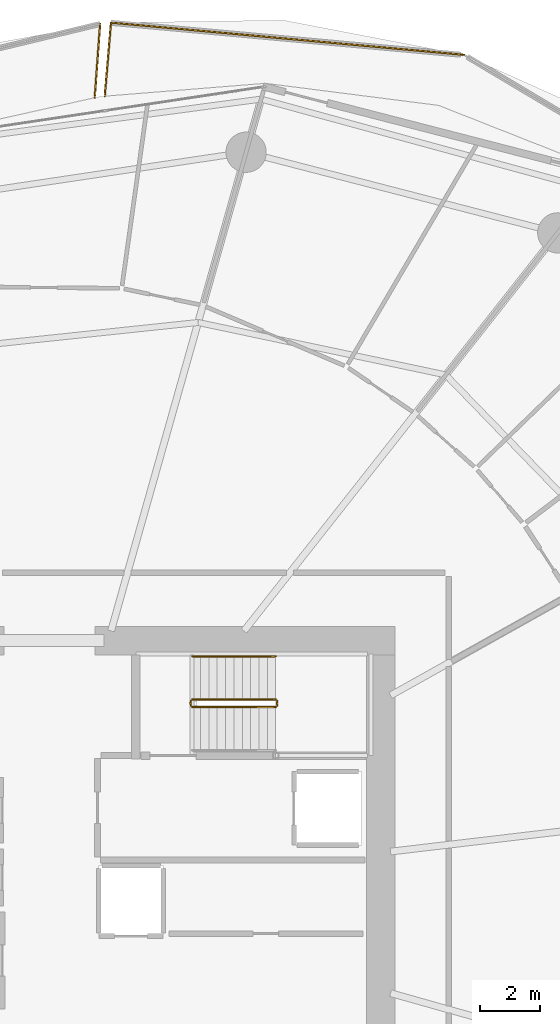
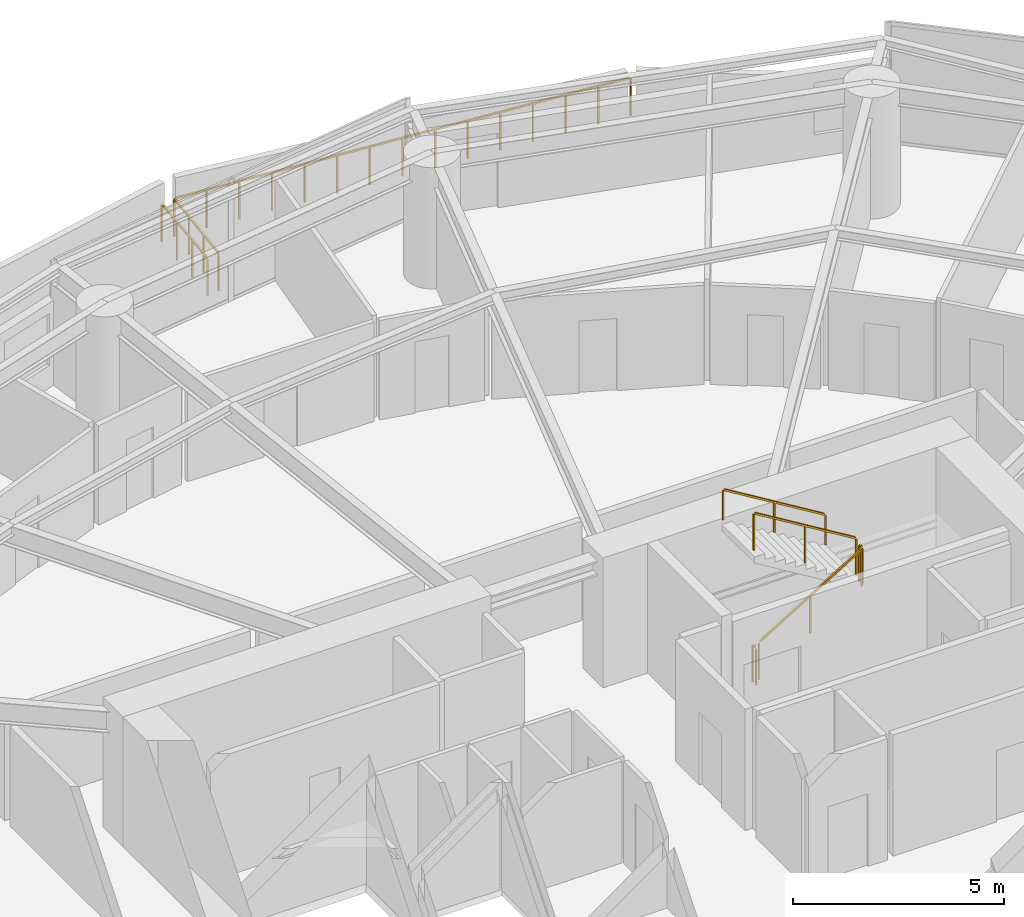
# One storey, part 30 of 31: 8 railings.
"""IFC4 building model written with IfcOpenShell, lengths in metres."""

from ifc_helpers import new_model, si_unit, direction, frame, origin, origin_2d, place, context, subcontext, project, spatial, rectangle, extrude, material, type_object, element, save


model = new_model("IFC4")

# Units and contexts
model_context = context("Model", 3, precision=1e-05, world=origin(), true_north=direction((0.0, 1.0)))
body_context = subcontext(model_context, "Body", "Model", "MODEL_VIEW")
ifc_project = project(units=[si_unit("LENGTHUNIT", "METRE"), si_unit("AREAUNIT", "SQUARE_METRE"), si_unit("VOLUMEUNIT", "CUBIC_METRE"), si_unit("PLANEANGLEUNIT", "RADIAN"), si_unit("MASSUNIT", "GRAM", prefix="KILO")], contexts=[model_context])

# Site, building, storey
site_placement = place(None, origin())
site = spatial("IfcSite", under=ifc_project, at=site_placement, CompositionType="ELEMENT")
building_placement = place(site_placement, origin())
building = spatial("IfcBuilding", under=site, at=building_placement, Name="Kazma Halo Residences", CompositionType="ELEMENT")
storey_placement = place(building_placement, frame((0.0, 0.0, 30.14990234375)))
storey = spatial("IfcBuildingStorey", under=building, at=storey_placement, Name="L06", CompositionType="ELEMENT", Elevation=30.14990234375)

# Railings
ifc_material_1 = material(Name="Aluminium AW-6063 T6 Brushed Cap Rail", Category="aluminium")
railing_type_1 = type_object("IfcRailingType", Name="RLG-BAL-CAP-1120", PredefinedType="BALUSTRADE", material=ifc_material_1)
railing_1_placement = place(storey_placement, frame((62.323974609375, 70.1123046875, 0.0)))
element("IfcRailing", 1, at=railing_1_placement, inside=storey, type_object=railing_type_1, Name="L06 NE wave balcony guard 3", PredefinedType="BALUSTRADE", context=body_context, shape_type="SweptSolid", body=[
    extrude(rectangle(XDim=0.050048828125, YDim=0.050048828125, at=origin_2d()), frame((-0.04248046875, 0.00390625, 1.09521484375), z_axis=(-0.995869790697, 0.09079295114, 0.0), x_axis=(-0.09079295114, -0.995869790697, 0.0)), (0.0, 0.0, 1.0), 11.81103515625),
    extrude(rectangle(XDim=0.0400390625, YDim=0.0400390625, at=origin_2d()), origin(), (0.0, 0.0, 1.0), 1.05810546875),
    extrude(rectangle(XDim=0.0400390625, YDim=0.0400390625, at=origin_2d()), frame((-0.84619140625, 0.0771484375, 0.0)), (0.0, 0.0, 1.0), 1.05810546875),
    extrude(rectangle(XDim=0.0400390625, YDim=0.0400390625, at=origin_2d()), frame((-1.6923828125, 0.154296875, 0.0)), (0.0, 0.0, 1.0), 1.05810546875),
    extrude(rectangle(XDim=0.0400390625, YDim=0.0400390625, at=origin_2d()), frame((-2.53857421875, 0.2314453125, 0.0)), (0.0, 0.0, 1.0), 1.05810546875),
    extrude(rectangle(XDim=0.0400390625, YDim=0.0400390625, at=origin_2d()), frame((-3.384765625, 0.30859375, 0.0)), (0.0, 0.0, 1.0), 1.05810546875),
    extrude(rectangle(XDim=0.0400390625, YDim=0.0400390625, at=origin_2d()), frame((-4.23095703125, 0.3857421875, 0.0)), (0.0, 0.0, 1.0), 1.05810546875),
    extrude(rectangle(XDim=0.0400390625, YDim=0.0400390625, at=origin_2d()), frame((-5.0771484375, 0.462890625, 0.0)), (0.0, 0.0, 1.0), 1.05810546875),
    extrude(rectangle(XDim=0.0400390625, YDim=0.0400390625, at=origin_2d()), frame((-5.92333984375, 0.5400390625, 0.0)), (0.0, 0.0, 1.0), 1.05810546875),
    extrude(rectangle(XDim=0.0400390625, YDim=0.0400390625, at=origin_2d()), frame((-6.769775390625, 0.6171875, 0.0)), (0.0, 0.0, 1.0), 1.05810546875),
    extrude(rectangle(XDim=0.0400390625, YDim=0.0400390625, at=origin_2d()), frame((-7.615966796875, 0.6943359375, 0.0)), (0.0, 0.0, 1.0), 1.05810546875),
    extrude(rectangle(XDim=0.0400390625, YDim=0.0400390625, at=origin_2d()), frame((-8.462158203125, 0.771484375, 0.0)), (0.0, 0.0, 1.0), 1.05810546875),
    extrude(rectangle(XDim=0.0400390625, YDim=0.0400390625, at=origin_2d()), frame((-9.308349609375, 0.8486328125, 0.0)), (0.0, 0.0, 1.0), 1.05810546875),
    extrude(rectangle(XDim=0.0400390625, YDim=0.0400390625, at=origin_2d()), frame((-10.154541015625, 0.92578125, 0.0)), (0.0, 0.0, 1.0), 1.05810546875),
    extrude(rectangle(XDim=0.0400390625, YDim=0.0400390625, at=origin_2d()), frame((-11.000732421875, 1.0029296875, 0.0)), (0.0, 0.0, 1.0), 1.05810546875),
    extrude(rectangle(XDim=0.0400390625, YDim=0.0400390625, at=origin_2d()), frame((-11.846923828125, 1.080078125, 0.0)), (0.0, 0.0, 1.0), 1.05810546875),
])
railing_2_placement = place(storey_placement, frame((50.47705078125, 71.1923828125, 0.0)))
element("IfcRailing", 2, at=railing_2_placement, inside=storey, type_object=railing_type_1, Name="L06 NE wave balcony guard 4", PredefinedType="BALUSTRADE", context=body_context, shape_type="SweptSolid", body=[
    extrude(rectangle(XDim=0.050048828125, YDim=0.050048828125, at=origin_2d()), frame((-0.003662109375, -0.04248046875, 1.09521484375), z_axis=(-0.084557777597, -0.996418577832, 0.0), x_axis=(0.996418577832, -0.084557777597, 0.0)), (0.0, 0.0, 1.0), 2.386474609375),
    extrude(rectangle(XDim=0.0400390625, YDim=0.0400390625, at=origin_2d()), origin(), (0.0, 0.0, 1.0), 1.05810546875),
    extrude(rectangle(XDim=0.0400390625, YDim=0.0400390625, at=origin_2d()), frame((-0.069580078125, -0.82080078125, 0.0)), (0.0, 0.0, 1.0), 1.05810546875),
    extrude(rectangle(XDim=0.0400390625, YDim=0.0400390625, at=origin_2d()), frame((-0.139404296875, -1.641845703125, 0.0)), (0.0, 0.0, 1.0), 1.05810546875),
    extrude(rectangle(XDim=0.0400390625, YDim=0.0400390625, at=origin_2d()), frame((-0.208984375, -2.462646484375, 0.0)), (0.0, 0.0, 1.0), 1.05810546875),
])
railing_3_placement = place(storey_placement, frame((49.935791015625, 68.679931640625, 0.0)))
element("IfcRailing", 3, at=railing_3_placement, inside=storey, type_object=railing_type_1, Name="L06 NNW wave balcony guard 1", PredefinedType="BALUSTRADE", context=body_context, shape_type="SweptSolid", body=[
    extrude(rectangle(XDim=0.050048828125, YDim=0.050048828125, at=origin_2d()), frame((0.003173828125, 0.04248046875, 1.09521484375), z_axis=(0.072359420263, 0.997378621337, 0.0), x_axis=(-0.997378621337, 0.072359420263, 0.0)), (0.0, 0.0, 1.0), 2.394775390625),
    extrude(rectangle(XDim=0.0400390625, YDim=0.0400390625, at=origin_2d()), origin(), (0.0, 0.0, 1.0), 1.05810546875),
    extrude(rectangle(XDim=0.0400390625, YDim=0.0400390625, at=origin_2d()), frame((0.059814453125, 0.824462890625, 0.0)), (0.0, 0.0, 1.0), 1.05810546875),
    extrude(rectangle(XDim=0.0400390625, YDim=0.0400390625, at=origin_2d()), frame((0.11962890625, 1.64892578125, 0.0)), (0.0, 0.0, 1.0), 1.05810546875),
    extrude(rectangle(XDim=0.0400390625, YDim=0.0400390625, at=origin_2d()), frame((0.179443359375, 2.473388671875, 0.0)), (0.0, 0.0, 1.0), 1.05810546875),
])
ifc_material_2 = material(Name="Painted Steel S355", Category="steel")
railing_type_2 = type_object("IfcRailingType", Name="RLG-STAIR-GRD-1100", PredefinedType="GUARDRAIL", material=ifc_material_2)
railing_4_placement = place(storey_placement, frame((53.199951171875, 48.25, 0.170654296875)))
element("IfcRailing", 4, at=railing_4_placement, inside=storey, type_object=railing_type_2, Name="L06 ST-02 stair guard 1", PredefinedType="GUARDRAIL", context=body_context, shape_type="SweptSolid", body=[
    extrude(rectangle(XDim=0.050048828125, YDim=0.050048828125, at=origin_2d()), frame((0.036376953125, 0.0, 1.09716796875), z_axis=(0.854202870247, 0.0, 0.519939858505), x_axis=(0.0, 1.0, 0.0)), (0.0, 0.0, 1.0), 3.19287109375),
    extrude(rectangle(XDim=0.0400390625, YDim=0.0400390625, at=origin_2d()), origin(), (0.0, 0.0, 1.0), 1.0380859375),
    extrude(rectangle(XDim=0.0400390625, YDim=0.0400390625, at=origin_2d()), frame((1.39990234375, 0.0, 0.85205078125)), (0.0, 0.0, 1.0), 1.0380859375),
    extrude(rectangle(XDim=0.0400390625, YDim=0.0400390625, at=origin_2d()), frame((2.800048828125, 0.0, 1.704345703125)), (0.0, 0.0, 1.0), 1.0380859375),
])
railing_5_placement = place(storey_placement, frame((56.050048828125, 48.300048828125, 1.875)))
element("IfcRailing", 5, at=railing_5_placement, inside=storey, type_object=railing_type_2, Name="L06 ST-02 stair guard 2", PredefinedType="GUARDRAIL", context=body_context, shape_type="SweptSolid", body=[
    extrude(rectangle(XDim=0.050048828125, YDim=0.050048828125, at=origin_2d()), frame((0.0, 0.04248046875, 1.0751953125), z_axis=(0.0, 1.0, 0.0), x_axis=(-1.0, 0.0, 0.0)), (0.0, 0.0, 1.0), 0.06494140625),
    extrude(rectangle(XDim=0.0400390625, YDim=0.0400390625, at=origin_2d()), origin(), (0.0, 0.0, 1.0), 1.0380859375),
    extrude(rectangle(XDim=0.0400390625, YDim=0.0400390625, at=origin_2d()), frame((0.0, 0.14990234375, 0.0)), (0.0, 0.0, 1.0), 1.0380859375),
])
railing_6_placement = place(storey_placement, frame((56.0, 48.5, 2.045654296875)))
element("IfcRailing", 6, at=railing_6_placement, inside=storey, type_object=railing_type_2, Name="L06 ST-02 stair guard 3", PredefinedType="GUARDRAIL", context=body_context, shape_type="SweptSolid", body=[
    extrude(rectangle(XDim=0.050048828125, YDim=0.050048828125, at=origin_2d()), frame((-0.036376953125, 0.0, 1.09716796875), z_axis=(-0.854202870247, 0.0, 0.519939858505), x_axis=(0.0, -1.0, 0.0)), (0.0, 0.0, 1.0), 3.19287109375),
    extrude(rectangle(XDim=0.0400390625, YDim=0.0400390625, at=origin_2d()), origin(), (0.0, 0.0, 1.0), 1.0380859375),
    extrude(rectangle(XDim=0.0400390625, YDim=0.0400390625, at=origin_2d()), frame((-1.39990234375, 0.0, 0.85205078125)), (0.0, 0.0, 1.0), 1.0380859375),
    extrude(rectangle(XDim=0.0400390625, YDim=0.0400390625, at=origin_2d()), frame((-2.800048828125, 0.0, 1.704345703125)), (0.0, 0.0, 1.0), 1.0380859375),
])
railing_7_placement = place(storey_placement, frame((53.14990234375, 48.300048828125, 0.0)))
element("IfcRailing", 7, at=railing_7_placement, inside=storey, type_object=railing_type_2, Name="L06 ST-02 stair guard 4", PredefinedType="GUARDRAIL", context=body_context, shape_type="SweptSolid", body=[
    extrude(rectangle(XDim=0.050048828125, YDim=0.050048828125, at=origin_2d()), frame((0.0, 0.04248046875, 1.0751953125), z_axis=(0.0, 1.0, 0.0), x_axis=(-1.0, 0.0, 0.0)), (0.0, 0.0, 1.0), 0.06494140625),
    extrude(rectangle(XDim=0.0400390625, YDim=0.0400390625, at=origin_2d()), origin(), (0.0, 0.0, 1.0), 1.0380859375),
    extrude(rectangle(XDim=0.0400390625, YDim=0.0400390625, at=origin_2d()), frame((0.0, 0.14990234375, 0.0)), (0.0, 0.0, 1.0), 1.0380859375),
])
ifc_material_3 = material(Name="Brushed Stainless Steel", Category="steel")
railing_type_3 = type_object("IfcRailingType", Name="RLG-STAIR-HND-900", PredefinedType="HANDRAIL", material=ifc_material_3)
railing_8_placement = place(storey_placement, frame((56.0, 49.949951171875, 2.045654296875)))
element("IfcRailing", 8, at=railing_8_placement, inside=storey, type_object=railing_type_3, Name="L06 ST-02 stair handrail 2", PredefinedType="HANDRAIL", context=body_context, shape_type="SweptSolid", body=[
    extrude(rectangle(XDim=0.050048828125, YDim=0.050048828125, at=origin_2d()), frame((-0.036376953125, 0.0, 0.89697265625), z_axis=(-0.854202870247, 0.0, 0.519939858505), x_axis=(0.0, -1.0, 0.0)), (0.0, 0.0, 1.0), 3.19287109375),
    extrude(rectangle(XDim=0.0400390625, YDim=0.0400390625, at=origin_2d()), origin(), (0.0, 0.0, 1.0), 0.837890625),
    extrude(rectangle(XDim=0.0400390625, YDim=0.0400390625, at=origin_2d()), frame((-1.39990234375, 0.0, 0.85205078125)), (0.0, 0.0, 1.0), 0.837890625),
    extrude(rectangle(XDim=0.0400390625, YDim=0.0400390625, at=origin_2d()), frame((-2.800048828125, 0.0, 1.704345703125)), (0.0, 0.0, 1.0), 0.837890625),
])

save(model, "model.ifc")
